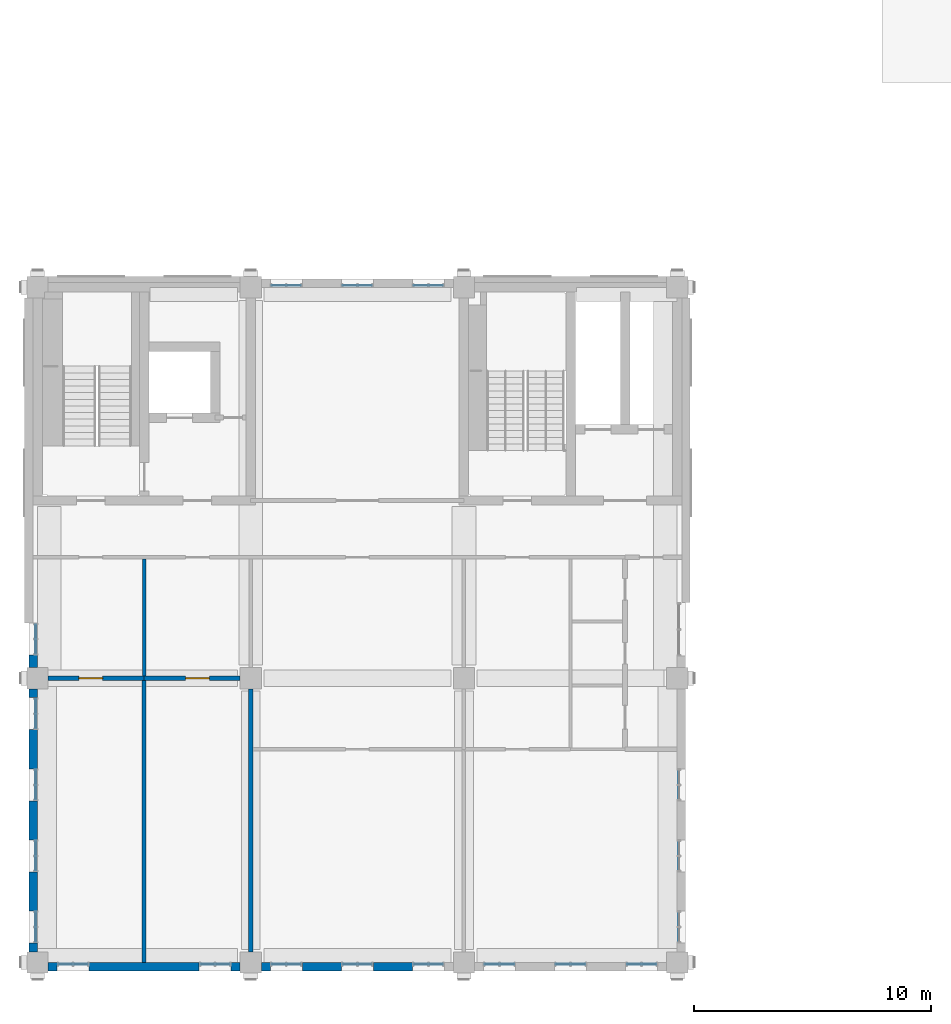
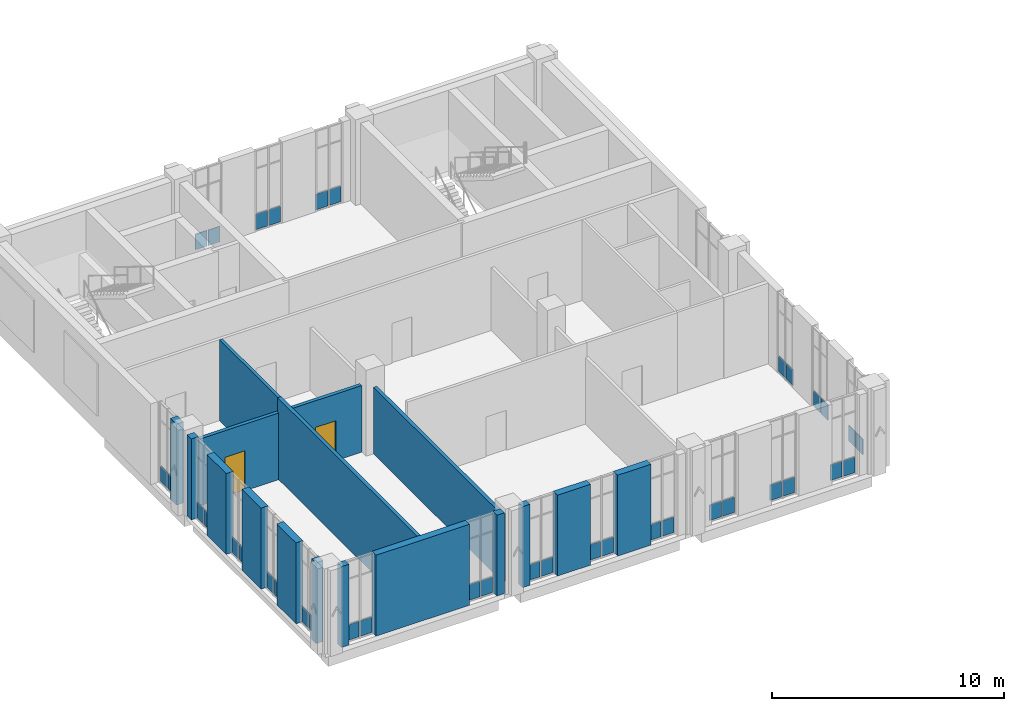
# One storey, part 16 of 25: 38 plates, 17 walls, 2 doors, 2 openings, 19 elements without a shape of their own.
"""IFC4 building model written with IfcOpenShell, lengths in metres."""

from ifc_helpers import new_model, si_unit, direction, frame, frame_2d, origin, origin_2d, place, context, subcontext, project, spatial, rectangle, extrude, material, layer, layer_set, type_object, element, fill, aggregate, save


model = new_model("IFC4")

# Units and contexts
model_context = context("Model", 3, precision=1e-05, world=origin(), true_north=direction((0.0, 1.0)))
body_context = subcontext(model_context, "Body", "Model", "MODEL_VIEW")
ifc_project = project(units=[si_unit("LENGTHUNIT", "METRE"), si_unit("AREAUNIT", "SQUARE_METRE"), si_unit("VOLUMEUNIT", "CUBIC_METRE"), si_unit("PLANEANGLEUNIT", "RADIAN"), si_unit("MASSUNIT", "GRAM", prefix="KILO")], contexts=[model_context])

# Site, building, storey
site_placement = place(None, origin())
site = spatial("IfcSite", under=ifc_project, at=site_placement, CompositionType="ELEMENT")
building_placement = place(site_placement, origin())
building = spatial("IfcBuilding", under=site, at=building_placement, Name="Aurelan Courthouse", CompositionType="ELEMENT")
storey_placement = place(building_placement, frame((0.0, 0.0, 44.39990234375)))
storey = spatial("IfcBuildingStorey", under=building, at=storey_placement, Name="L08", CompositionType="ELEMENT", Elevation=44.39990234375)

# Curtain wall, plates
ifc_material_1 = material(Name="Bronze-finished aluminium and glass", Category="aluminium")
ifc_layer_1 = layer(ifc_material_1, 0.14990234375)
ifc_layer_set_1 = layer_set([ifc_layer_1], Name="Bronze-finished aluminium and glass")
curtain_wall_type = type_object("IfcCurtainWallType", Name="Curtain wall 1350 x 4250", PredefinedType="NOTDEFINED", material=ifc_layer_set_1)
curtain_wall_1_placement = place(storey_placement, origin())
curtain_wall_1 = element("IfcCurtainWall", 1, at=curtain_wall_1_placement, inside=storey, type_object=curtain_wall_type, Name="Curtain wall CW-V5-L08-S01", PredefinedType="NOTDEFINED")
ifc_material_2 = material(Name="Bronze-finished aluminium", Category="aluminium")
ifc_layer_2 = layer(ifc_material_2, 0.0400390625)
ifc_layer_set_2 = layer_set([ifc_layer_2], Name="Bronze-finished aluminium")
plate_type = type_object("IfcPlateType", Name="Sill panel 40", PredefinedType="CURTAIN_PANEL", material=ifc_layer_set_2)
plate_1_placement = place(storey_placement, frame((1.177490234375, -0.074951171875, 0.06005859375), z_axis=(0.0, 0.0, 1.0), x_axis=(1.0, 0.0, 0.0)))
plate_1 = element("IfcPlate", 2, at=plate_1_placement, type_object=plate_type, Name="CW-V5-L08-S01 sill panel 1.1", PredefinedType="CURTAIN_PANEL", context=body_context, shape_type="SweptSolid", body=[
    extrude(rectangle(XDim=0.5849609375, YDim=0.0400390625, at=origin_2d()), origin(), (0.0, 0.0, 1.0), 0.81005859375),
])
plate_2_placement = place(storey_placement, frame((1.822509765625, -0.074951171875, 0.06005859375), z_axis=(0.0, 0.0, 1.0), x_axis=(1.0, 0.0, 0.0)))
plate_2 = element("IfcPlate", 3, at=plate_2_placement, type_object=plate_type, Name="CW-V5-L08-S01 sill panel 2.1", PredefinedType="CURTAIN_PANEL", context=body_context, shape_type="SweptSolid", body=[
    extrude(rectangle(XDim=0.5849609375, YDim=0.0400390625, at=origin_2d()), origin(), (0.0, 0.0, 1.0), 0.81005859375),
])
aggregate(curtain_wall_1, [plate_1, plate_2])

curtain_wall_2_placement = place(storey_placement, origin())
curtain_wall_2 = element("IfcCurtainWall", 4, at=curtain_wall_2_placement, inside=storey, type_object=curtain_wall_type, Name="Curtain wall CW-V5-L08-S02", PredefinedType="NOTDEFINED")
plate_3_placement = place(storey_placement, frame((7.177490234375, -0.074951171875, 0.06005859375), z_axis=(0.0, 0.0, 1.0), x_axis=(1.0, 0.0, 0.0)))
plate_3 = element("IfcPlate", 5, at=plate_3_placement, type_object=plate_type, Name="CW-V5-L08-S02 sill panel 1.1", PredefinedType="CURTAIN_PANEL", context=body_context, shape_type="SweptSolid", body=[
    extrude(rectangle(XDim=0.5849609375, YDim=0.0400390625, at=origin_2d()), origin(), (0.0, 0.0, 1.0), 0.81005859375),
])
plate_4_placement = place(storey_placement, frame((7.822509765625, -0.074951171875, 0.06005859375), z_axis=(0.0, 0.0, 1.0), x_axis=(1.0, 0.0, 0.0)))
plate_4 = element("IfcPlate", 6, at=plate_4_placement, type_object=plate_type, Name="CW-V5-L08-S02 sill panel 2.1", PredefinedType="CURTAIN_PANEL", context=body_context, shape_type="SweptSolid", body=[
    extrude(rectangle(XDim=0.5849609375, YDim=0.0400390625, at=origin_2d()), origin(), (0.0, 0.0, 1.0), 0.81005859375),
])
aggregate(curtain_wall_2, [plate_3, plate_4])

curtain_wall_3_placement = place(storey_placement, origin())
curtain_wall_3 = element("IfcCurtainWall", 7, at=curtain_wall_3_placement, inside=storey, type_object=curtain_wall_type, Name="Curtain wall CW-V5-L08-S03", PredefinedType="NOTDEFINED")
plate_5_placement = place(storey_placement, frame((10.177490234375, -0.074951171875, 0.06005859375), z_axis=(0.0, 0.0, 1.0), x_axis=(1.0, 0.0, 0.0)))
plate_5 = element("IfcPlate", 8, at=plate_5_placement, type_object=plate_type, Name="CW-V5-L08-S03 sill panel 1.1", PredefinedType="CURTAIN_PANEL", context=body_context, shape_type="SweptSolid", body=[
    extrude(rectangle(XDim=0.5849609375, YDim=0.0400390625, at=origin_2d()), origin(), (0.0, 0.0, 1.0), 0.81005859375),
])
plate_6_placement = place(storey_placement, frame((10.822509765625, -0.074951171875, 0.06005859375), z_axis=(0.0, 0.0, 1.0), x_axis=(1.0, 0.0, 0.0)))
plate_6 = element("IfcPlate", 9, at=plate_6_placement, type_object=plate_type, Name="CW-V5-L08-S03 sill panel 2.1", PredefinedType="CURTAIN_PANEL", context=body_context, shape_type="SweptSolid", body=[
    extrude(rectangle(XDim=0.5849609375, YDim=0.0400390625, at=origin_2d()), origin(), (0.0, 0.0, 1.0), 0.81005859375),
])
aggregate(curtain_wall_3, [plate_5, plate_6])

curtain_wall_4_placement = place(storey_placement, origin())
curtain_wall_4 = element("IfcCurtainWall", 10, at=curtain_wall_4_placement, inside=storey, type_object=curtain_wall_type, Name="Curtain wall CW-V5-L08-S04", PredefinedType="NOTDEFINED")
plate_7_placement = place(storey_placement, frame((13.177490234375, -0.074951171875, 0.06005859375), z_axis=(0.0, 0.0, 1.0), x_axis=(1.0, 0.0, 0.0)))
plate_7 = element("IfcPlate", 11, at=plate_7_placement, type_object=plate_type, Name="CW-V5-L08-S04 sill panel 1.1", PredefinedType="CURTAIN_PANEL", context=body_context, shape_type="SweptSolid", body=[
    extrude(rectangle(XDim=0.5849609375, YDim=0.0400390625, at=origin_2d()), origin(), (0.0, 0.0, 1.0), 0.81005859375),
])
plate_8_placement = place(storey_placement, frame((13.822509765625, -0.074951171875, 0.06005859375), z_axis=(0.0, 0.0, 1.0), x_axis=(1.0, 0.0, 0.0)))
plate_8 = element("IfcPlate", 12, at=plate_8_placement, type_object=plate_type, Name="CW-V5-L08-S04 sill panel 2.1", PredefinedType="CURTAIN_PANEL", context=body_context, shape_type="SweptSolid", body=[
    extrude(rectangle(XDim=0.5849609375, YDim=0.0400390625, at=origin_2d()), origin(), (0.0, 0.0, 1.0), 0.81005859375),
])
aggregate(curtain_wall_4, [plate_7, plate_8])

curtain_wall_5_placement = place(storey_placement, origin())
curtain_wall_5 = element("IfcCurtainWall", 13, at=curtain_wall_5_placement, inside=storey, type_object=curtain_wall_type, Name="Curtain wall CW-V5-L08-S05", PredefinedType="NOTDEFINED")
plate_9_placement = place(storey_placement, frame((16.177490234375, -0.074951171875, 0.06005859375), z_axis=(0.0, 0.0, 1.0), x_axis=(1.0, 0.0, 0.0)))
plate_9 = element("IfcPlate", 14, at=plate_9_placement, type_object=plate_type, Name="CW-V5-L08-S05 sill panel 1.1", PredefinedType="CURTAIN_PANEL", context=body_context, shape_type="SweptSolid", body=[
    extrude(rectangle(XDim=0.5849609375, YDim=0.0400390625, at=origin_2d()), origin(), (0.0, 0.0, 1.0), 0.81005859375),
])
plate_10_placement = place(storey_placement, frame((16.822509765625, -0.074951171875, 0.06005859375), z_axis=(0.0, 0.0, 1.0), x_axis=(1.0, 0.0, 0.0)))
plate_10 = element("IfcPlate", 15, at=plate_10_placement, type_object=plate_type, Name="CW-V5-L08-S05 sill panel 2.1", PredefinedType="CURTAIN_PANEL", context=body_context, shape_type="SweptSolid", body=[
    extrude(rectangle(XDim=0.5849609375, YDim=0.0400390625, at=origin_2d()), origin(), (0.0, 0.0, 1.0), 0.81005859375),
])
aggregate(curtain_wall_5, [plate_9, plate_10])

curtain_wall_6_placement = place(storey_placement, origin())
curtain_wall_6 = element("IfcCurtainWall", 16, at=curtain_wall_6_placement, inside=storey, type_object=curtain_wall_type, Name="Curtain wall CW-V5-L08-S06", PredefinedType="NOTDEFINED")
plate_11_placement = place(storey_placement, frame((19.177490234375, -0.074951171875, 0.06005859375), z_axis=(0.0, 0.0, 1.0), x_axis=(1.0, 0.0, 0.0)))
plate_11 = element("IfcPlate", 17, at=plate_11_placement, type_object=plate_type, Name="CW-V5-L08-S06 sill panel 1.1", PredefinedType="CURTAIN_PANEL", context=body_context, shape_type="SweptSolid", body=[
    extrude(rectangle(XDim=0.5849609375, YDim=0.0400390625, at=origin_2d()), origin(), (0.0, 0.0, 1.0), 0.81005859375),
])
plate_12_placement = place(storey_placement, frame((19.822509765625, -0.074951171875, 0.06005859375), z_axis=(0.0, 0.0, 1.0), x_axis=(1.0, 0.0, 0.0)))
plate_12 = element("IfcPlate", 18, at=plate_12_placement, type_object=plate_type, Name="CW-V5-L08-S06 sill panel 2.1", PredefinedType="CURTAIN_PANEL", context=body_context, shape_type="SweptSolid", body=[
    extrude(rectangle(XDim=0.5849609375, YDim=0.0400390625, at=origin_2d()), origin(), (0.0, 0.0, 1.0), 0.81005859375),
])
aggregate(curtain_wall_6, [plate_11, plate_12])

curtain_wall_7_placement = place(storey_placement, origin())
curtain_wall_7 = element("IfcCurtainWall", 19, at=curtain_wall_7_placement, inside=storey, type_object=curtain_wall_type, Name="Curtain wall CW-V5-L08-S07", PredefinedType="NOTDEFINED")
plate_13_placement = place(storey_placement, frame((22.177490234375, -0.074951171875, 0.06005859375), z_axis=(0.0, 0.0, 1.0), x_axis=(1.0, 0.0, 0.0)))
plate_13 = element("IfcPlate", 20, at=plate_13_placement, type_object=plate_type, Name="CW-V5-L08-S07 sill panel 1.1", PredefinedType="CURTAIN_PANEL", context=body_context, shape_type="SweptSolid", body=[
    extrude(rectangle(XDim=0.5849609375, YDim=0.0400390625, at=origin_2d()), origin(), (0.0, 0.0, 1.0), 0.81005859375),
])
plate_14_placement = place(storey_placement, frame((22.822509765625, -0.074951171875, 0.06005859375), z_axis=(0.0, 0.0, 1.0), x_axis=(1.0, 0.0, 0.0)))
plate_14 = element("IfcPlate", 21, at=plate_14_placement, type_object=plate_type, Name="CW-V5-L08-S07 sill panel 2.1", PredefinedType="CURTAIN_PANEL", context=body_context, shape_type="SweptSolid", body=[
    extrude(rectangle(XDim=0.5849609375, YDim=0.0400390625, at=origin_2d()), origin(), (0.0, 0.0, 1.0), 0.81005859375),
])
aggregate(curtain_wall_7, [plate_13, plate_14])

curtain_wall_8_placement = place(storey_placement, origin())
curtain_wall_8 = element("IfcCurtainWall", 22, at=curtain_wall_8_placement, inside=storey, type_object=curtain_wall_type, Name="Curtain wall CW-V5-L08-S08", PredefinedType="NOTDEFINED")
plate_15_placement = place(storey_placement, frame((25.177490234375, -0.074951171875, 0.06005859375), z_axis=(0.0, 0.0, 1.0), x_axis=(1.0, 0.0, 0.0)))
plate_15 = element("IfcPlate", 23, at=plate_15_placement, type_object=plate_type, Name="CW-V5-L08-S08 sill panel 1.1", PredefinedType="CURTAIN_PANEL", context=body_context, shape_type="SweptSolid", body=[
    extrude(rectangle(XDim=0.5849609375, YDim=0.0400390625, at=origin_2d()), origin(), (0.0, 0.0, 1.0), 0.81005859375),
])
plate_16_placement = place(storey_placement, frame((25.822509765625, -0.074951171875, 0.06005859375), z_axis=(0.0, 0.0, 1.0), x_axis=(1.0, 0.0, 0.0)))
plate_16 = element("IfcPlate", 24, at=plate_16_placement, type_object=plate_type, Name="CW-V5-L08-S08 sill panel 2.1", PredefinedType="CURTAIN_PANEL", context=body_context, shape_type="SweptSolid", body=[
    extrude(rectangle(XDim=0.5849609375, YDim=0.0400390625, at=origin_2d()), origin(), (0.0, 0.0, 1.0), 0.81005859375),
])
aggregate(curtain_wall_8, [plate_15, plate_16])

curtain_wall_9_placement = place(storey_placement, origin())
curtain_wall_9 = element("IfcCurtainWall", 25, at=curtain_wall_9_placement, inside=storey, type_object=curtain_wall_type, Name="Curtain wall CW-V5-L08-N01", PredefinedType="NOTDEFINED")
plate_17_placement = place(storey_placement, frame((10.177490234375, 28.574951171875, 0.06005859375), z_axis=(0.0, 0.0, 1.0), x_axis=(1.0, 0.0, 0.0)))
plate_17 = element("IfcPlate", 26, at=plate_17_placement, type_object=plate_type, Name="CW-V5-L08-N01 sill panel 1.1", PredefinedType="CURTAIN_PANEL", context=body_context, shape_type="SweptSolid", body=[
    extrude(rectangle(XDim=0.5849609375, YDim=0.0400390625, at=origin_2d()), origin(), (0.0, 0.0, 1.0), 0.81005859375),
])
plate_18_placement = place(storey_placement, frame((10.822509765625, 28.574951171875, 0.06005859375), z_axis=(0.0, 0.0, 1.0), x_axis=(1.0, 0.0, 0.0)))
plate_18 = element("IfcPlate", 27, at=plate_18_placement, type_object=plate_type, Name="CW-V5-L08-N01 sill panel 2.1", PredefinedType="CURTAIN_PANEL", context=body_context, shape_type="SweptSolid", body=[
    extrude(rectangle(XDim=0.5849609375, YDim=0.0400390625, at=origin_2d()), origin(), (0.0, 0.0, 1.0), 0.81005859375),
])
aggregate(curtain_wall_9, [plate_17, plate_18])

curtain_wall_10_placement = place(storey_placement, origin())
curtain_wall_10 = element("IfcCurtainWall", 28, at=curtain_wall_10_placement, inside=storey, type_object=curtain_wall_type, Name="Curtain wall CW-V5-L08-N02", PredefinedType="NOTDEFINED")
plate_19_placement = place(storey_placement, frame((13.177490234375, 28.574951171875, 0.06005859375), z_axis=(0.0, 0.0, 1.0), x_axis=(1.0, 0.0, 0.0)))
plate_19 = element("IfcPlate", 29, at=plate_19_placement, type_object=plate_type, Name="CW-V5-L08-N02 sill panel 1.1", PredefinedType="CURTAIN_PANEL", context=body_context, shape_type="SweptSolid", body=[
    extrude(rectangle(XDim=0.5849609375, YDim=0.0400390625, at=origin_2d()), origin(), (0.0, 0.0, 1.0), 0.81005859375),
])
plate_20_placement = place(storey_placement, frame((13.822509765625, 28.574951171875, 0.06005859375), z_axis=(0.0, 0.0, 1.0), x_axis=(1.0, 0.0, 0.0)))
plate_20 = element("IfcPlate", 30, at=plate_20_placement, type_object=plate_type, Name="CW-V5-L08-N02 sill panel 2.1", PredefinedType="CURTAIN_PANEL", context=body_context, shape_type="SweptSolid", body=[
    extrude(rectangle(XDim=0.5849609375, YDim=0.0400390625, at=origin_2d()), origin(), (0.0, 0.0, 1.0), 0.81005859375),
])
aggregate(curtain_wall_10, [plate_19, plate_20])

curtain_wall_11_placement = place(storey_placement, origin())
curtain_wall_11 = element("IfcCurtainWall", 31, at=curtain_wall_11_placement, inside=storey, type_object=curtain_wall_type, Name="Curtain wall CW-V5-L08-N03", PredefinedType="NOTDEFINED")
plate_21_placement = place(storey_placement, frame((16.177490234375, 28.574951171875, 0.06005859375), z_axis=(0.0, 0.0, 1.0), x_axis=(1.0, 0.0, 0.0)))
plate_21 = element("IfcPlate", 32, at=plate_21_placement, type_object=plate_type, Name="CW-V5-L08-N03 sill panel 1.1", PredefinedType="CURTAIN_PANEL", context=body_context, shape_type="SweptSolid", body=[
    extrude(rectangle(XDim=0.5849609375, YDim=0.0400390625, at=origin_2d()), origin(), (0.0, 0.0, 1.0), 0.81005859375),
])
plate_22_placement = place(storey_placement, frame((16.822509765625, 28.574951171875, 0.06005859375), z_axis=(0.0, 0.0, 1.0), x_axis=(1.0, 0.0, 0.0)))
plate_22 = element("IfcPlate", 33, at=plate_22_placement, type_object=plate_type, Name="CW-V5-L08-N03 sill panel 2.1", PredefinedType="CURTAIN_PANEL", context=body_context, shape_type="SweptSolid", body=[
    extrude(rectangle(XDim=0.5849609375, YDim=0.0400390625, at=origin_2d()), origin(), (0.0, 0.0, 1.0), 0.81005859375),
])
aggregate(curtain_wall_11, [plate_21, plate_22])

curtain_wall_12_placement = place(storey_placement, origin())
curtain_wall_12 = element("IfcCurtainWall", 34, at=curtain_wall_12_placement, inside=storey, type_object=curtain_wall_type, Name="Curtain wall CW-V5-L08-E01", PredefinedType="NOTDEFINED")
plate_23_placement = place(storey_placement, frame((27.074951171875, 1.177490234375, 0.06005859375), z_axis=(0.0, 0.0, 1.0), x_axis=(0.0, 1.0, 0.0)))
plate_23 = element("IfcPlate", 35, at=plate_23_placement, type_object=plate_type, Name="CW-V5-L08-E01 sill panel 1.1", PredefinedType="CURTAIN_PANEL", context=body_context, shape_type="SweptSolid", body=[
    extrude(rectangle(XDim=0.5849609375, YDim=0.0400390625, at=origin_2d()), origin(), (0.0, 0.0, 1.0), 0.81005859375),
])
plate_24_placement = place(storey_placement, frame((27.074951171875, 1.822509765625, 0.06005859375), z_axis=(0.0, 0.0, 1.0), x_axis=(0.0, 1.0, 0.0)))
plate_24 = element("IfcPlate", 36, at=plate_24_placement, type_object=plate_type, Name="CW-V5-L08-E01 sill panel 2.1", PredefinedType="CURTAIN_PANEL", context=body_context, shape_type="SweptSolid", body=[
    extrude(rectangle(XDim=0.5849609375, YDim=0.0400390625, at=origin_2d()), origin(), (0.0, 0.0, 1.0), 0.81005859375),
])
aggregate(curtain_wall_12, [plate_23, plate_24])

curtain_wall_13_placement = place(storey_placement, origin())
curtain_wall_13 = element("IfcCurtainWall", 37, at=curtain_wall_13_placement, inside=storey, type_object=curtain_wall_type, Name="Curtain wall CW-V5-L08-E02", PredefinedType="NOTDEFINED")
plate_25_placement = place(storey_placement, frame((27.074951171875, 4.177490234375, 0.06005859375), z_axis=(0.0, 0.0, 1.0), x_axis=(0.0, 1.0, 0.0)))
plate_25 = element("IfcPlate", 38, at=plate_25_placement, type_object=plate_type, Name="CW-V5-L08-E02 sill panel 1.1", PredefinedType="CURTAIN_PANEL", context=body_context, shape_type="SweptSolid", body=[
    extrude(rectangle(XDim=0.5849609375, YDim=0.0400390625, at=origin_2d()), origin(), (0.0, 0.0, 1.0), 0.81005859375),
])
plate_26_placement = place(storey_placement, frame((27.074951171875, 4.822509765625, 0.06005859375), z_axis=(0.0, 0.0, 1.0), x_axis=(0.0, 1.0, 0.0)))
plate_26 = element("IfcPlate", 39, at=plate_26_placement, type_object=plate_type, Name="CW-V5-L08-E02 sill panel 2.1", PredefinedType="CURTAIN_PANEL", context=body_context, shape_type="SweptSolid", body=[
    extrude(rectangle(XDim=0.5849609375, YDim=0.0400390625, at=origin_2d()), origin(), (0.0, 0.0, 1.0), 0.81005859375),
])
aggregate(curtain_wall_13, [plate_25, plate_26])

curtain_wall_14_placement = place(storey_placement, origin())
curtain_wall_14 = element("IfcCurtainWall", 40, at=curtain_wall_14_placement, inside=storey, type_object=curtain_wall_type, Name="Curtain wall CW-V5-L08-E03", PredefinedType="NOTDEFINED")
plate_27_placement = place(storey_placement, frame((27.074951171875, 7.177490234375, 0.06005859375), z_axis=(0.0, 0.0, 1.0), x_axis=(0.0, 1.0, 0.0)))
plate_27 = element("IfcPlate", 41, at=plate_27_placement, type_object=plate_type, Name="CW-V5-L08-E03 sill panel 1.1", PredefinedType="CURTAIN_PANEL", context=body_context, shape_type="SweptSolid", body=[
    extrude(rectangle(XDim=0.5849609375, YDim=0.0400390625, at=origin_2d()), origin(), (0.0, 0.0, 1.0), 0.81005859375),
])
plate_28_placement = place(storey_placement, frame((27.074951171875, 7.822509765625, 0.06005859375), z_axis=(0.0, 0.0, 1.0), x_axis=(0.0, 1.0, 0.0)))
plate_28 = element("IfcPlate", 42, at=plate_28_placement, type_object=plate_type, Name="CW-V5-L08-E03 sill panel 2.1", PredefinedType="CURTAIN_PANEL", context=body_context, shape_type="SweptSolid", body=[
    extrude(rectangle(XDim=0.5849609375, YDim=0.0400390625, at=origin_2d()), origin(), (0.0, 0.0, 1.0), 0.81005859375),
])
aggregate(curtain_wall_14, [plate_27, plate_28])

curtain_wall_15_placement = place(storey_placement, origin())
curtain_wall_15 = element("IfcCurtainWall", 43, at=curtain_wall_15_placement, inside=storey, type_object=curtain_wall_type, Name="Curtain wall CW-V5-L08-W01", PredefinedType="NOTDEFINED")
plate_29_placement = place(storey_placement, frame((-0.074951171875, 1.177490234375, 0.06005859375), z_axis=(0.0, 0.0, 1.0), x_axis=(0.0, 1.0, 0.0)))
plate_29 = element("IfcPlate", 44, at=plate_29_placement, type_object=plate_type, Name="CW-V5-L08-W01 sill panel 1.1", PredefinedType="CURTAIN_PANEL", context=body_context, shape_type="SweptSolid", body=[
    extrude(rectangle(XDim=0.5849609375, YDim=0.0400390625, at=origin_2d()), origin(), (0.0, 0.0, 1.0), 0.81005859375),
])
plate_30_placement = place(storey_placement, frame((-0.074951171875, 1.822509765625, 0.06005859375), z_axis=(0.0, 0.0, 1.0), x_axis=(0.0, 1.0, 0.0)))
plate_30 = element("IfcPlate", 45, at=plate_30_placement, type_object=plate_type, Name="CW-V5-L08-W01 sill panel 2.1", PredefinedType="CURTAIN_PANEL", context=body_context, shape_type="SweptSolid", body=[
    extrude(rectangle(XDim=0.5849609375, YDim=0.0400390625, at=origin_2d()), origin(), (0.0, 0.0, 1.0), 0.81005859375),
])
aggregate(curtain_wall_15, [plate_29, plate_30])

curtain_wall_16_placement = place(storey_placement, origin())
curtain_wall_16 = element("IfcCurtainWall", 46, at=curtain_wall_16_placement, inside=storey, type_object=curtain_wall_type, Name="Curtain wall CW-V5-L08-W02", PredefinedType="NOTDEFINED")
plate_31_placement = place(storey_placement, frame((-0.074951171875, 4.177490234375, 0.06005859375), z_axis=(0.0, 0.0, 1.0), x_axis=(0.0, 1.0, 0.0)))
plate_31 = element("IfcPlate", 47, at=plate_31_placement, type_object=plate_type, Name="CW-V5-L08-W02 sill panel 1.1", PredefinedType="CURTAIN_PANEL", context=body_context, shape_type="SweptSolid", body=[
    extrude(rectangle(XDim=0.5849609375, YDim=0.0400390625, at=origin_2d()), origin(), (0.0, 0.0, 1.0), 0.81005859375),
])
plate_32_placement = place(storey_placement, frame((-0.074951171875, 4.822509765625, 0.06005859375), z_axis=(0.0, 0.0, 1.0), x_axis=(0.0, 1.0, 0.0)))
plate_32 = element("IfcPlate", 48, at=plate_32_placement, type_object=plate_type, Name="CW-V5-L08-W02 sill panel 2.1", PredefinedType="CURTAIN_PANEL", context=body_context, shape_type="SweptSolid", body=[
    extrude(rectangle(XDim=0.5849609375, YDim=0.0400390625, at=origin_2d()), origin(), (0.0, 0.0, 1.0), 0.81005859375),
])
aggregate(curtain_wall_16, [plate_31, plate_32])

curtain_wall_17_placement = place(storey_placement, origin())
curtain_wall_17 = element("IfcCurtainWall", 49, at=curtain_wall_17_placement, inside=storey, type_object=curtain_wall_type, Name="Curtain wall CW-V5-L08-W03", PredefinedType="NOTDEFINED")
plate_33_placement = place(storey_placement, frame((-0.074951171875, 7.177490234375, 0.06005859375), z_axis=(0.0, 0.0, 1.0), x_axis=(0.0, 1.0, 0.0)))
plate_33 = element("IfcPlate", 50, at=plate_33_placement, type_object=plate_type, Name="CW-V5-L08-W03 sill panel 1.1", PredefinedType="CURTAIN_PANEL", context=body_context, shape_type="SweptSolid", body=[
    extrude(rectangle(XDim=0.5849609375, YDim=0.0400390625, at=origin_2d()), origin(), (0.0, 0.0, 1.0), 0.81005859375),
])
plate_34_placement = place(storey_placement, frame((-0.074951171875, 7.822509765625, 0.06005859375), z_axis=(0.0, 0.0, 1.0), x_axis=(0.0, 1.0, 0.0)))
plate_34 = element("IfcPlate", 51, at=plate_34_placement, type_object=plate_type, Name="CW-V5-L08-W03 sill panel 2.1", PredefinedType="CURTAIN_PANEL", context=body_context, shape_type="SweptSolid", body=[
    extrude(rectangle(XDim=0.5849609375, YDim=0.0400390625, at=origin_2d()), origin(), (0.0, 0.0, 1.0), 0.81005859375),
])
aggregate(curtain_wall_17, [plate_33, plate_34])

curtain_wall_18_placement = place(storey_placement, origin())
curtain_wall_18 = element("IfcCurtainWall", 52, at=curtain_wall_18_placement, inside=storey, type_object=curtain_wall_type, Name="Curtain wall CW-V5-L08-W04", PredefinedType="NOTDEFINED")
plate_35_placement = place(storey_placement, frame((-0.074951171875, 10.177490234375, 0.06005859375), z_axis=(0.0, 0.0, 1.0), x_axis=(0.0, 1.0, 0.0)))
plate_35 = element("IfcPlate", 53, at=plate_35_placement, type_object=plate_type, Name="CW-V5-L08-W04 sill panel 1.1", PredefinedType="CURTAIN_PANEL", context=body_context, shape_type="SweptSolid", body=[
    extrude(rectangle(XDim=0.5849609375, YDim=0.0400390625, at=origin_2d()), origin(), (0.0, 0.0, 1.0), 0.81005859375),
])
plate_36_placement = place(storey_placement, frame((-0.074951171875, 10.822509765625, 0.06005859375), z_axis=(0.0, 0.0, 1.0), x_axis=(0.0, 1.0, 0.0)))
plate_36 = element("IfcPlate", 54, at=plate_36_placement, type_object=plate_type, Name="CW-V5-L08-W04 sill panel 2.1", PredefinedType="CURTAIN_PANEL", context=body_context, shape_type="SweptSolid", body=[
    extrude(rectangle(XDim=0.5849609375, YDim=0.0400390625, at=origin_2d()), origin(), (0.0, 0.0, 1.0), 0.81005859375),
])
aggregate(curtain_wall_18, [plate_35, plate_36])

curtain_wall_19_placement = place(storey_placement, origin())
curtain_wall_19 = element("IfcCurtainWall", 55, at=curtain_wall_19_placement, inside=storey, type_object=curtain_wall_type, Name="Curtain wall CW-V5-L08-W05", PredefinedType="NOTDEFINED")
plate_37_placement = place(storey_placement, frame((-0.074951171875, 13.327392578125, 0.06005859375), z_axis=(0.0, 0.0, 1.0), x_axis=(0.0, 1.0, 0.0)))
plate_37 = element("IfcPlate", 56, at=plate_37_placement, type_object=plate_type, Name="CW-V5-L08-W05 sill panel 1.1", PredefinedType="CURTAIN_PANEL", context=body_context, shape_type="SweptSolid", body=[
    extrude(rectangle(XDim=0.5849609375, YDim=0.0400390625, at=origin_2d()), origin(), (0.0, 0.0, 1.0), 0.81005859375),
])
plate_38_placement = place(storey_placement, frame((-0.074951171875, 13.972412109375, 0.06005859375), z_axis=(0.0, 0.0, 1.0), x_axis=(0.0, 1.0, 0.0)))
plate_38 = element("IfcPlate", 57, at=plate_38_placement, type_object=plate_type, Name="CW-V5-L08-W05 sill panel 2.1", PredefinedType="CURTAIN_PANEL", context=body_context, shape_type="SweptSolid", body=[
    extrude(rectangle(XDim=0.5849609375, YDim=0.0400390625, at=origin_2d()), origin(), (0.0, 0.0, 1.0), 0.81005859375),
])
aggregate(curtain_wall_19, [plate_37, plate_38])

# Wall, opening, door
ifc_material_3 = material(Name="Gypsum board on metal studs")
ifc_layer_3 = layer(ifc_material_3, 0.175048828125)
ifc_layer_set_3 = layer_set([ifc_layer_3], Name="Gypsum board on metal studs")
wall_type_1 = type_object("IfcWallType", Name="Chambers acoustic partition 175 NOT RATED", PredefinedType="PARTITIONING", material=ifc_layer_set_3)
wall_1_placement = place(storey_placement, frame((0.449951171875, 12.0, 0.0), z_axis=(0.0, 0.0, 1.0), x_axis=(1.0, 0.0, 0.0)))
wall_1 = element("IfcWall", 58, at=wall_1_placement, inside=storey, type_object=wall_type_1, Name="Chambers acoustic partition L08-006", PredefinedType="PARTITIONING", context=body_context, shape_type="SweptSolid", body=[
    extrude(rectangle(XDim=4.050048828125, YDim=0.175048828125, at=frame_2d((2.02490234375, 0.0))), origin(), (0.0, 0.0, 1.0), 3.5),
])
opening_1_placement = place(wall_1_placement, frame((2.300048828125, 0.0, 0.0), z_axis=(0.0, 0.0, 1.0), x_axis=(-1.0, 0.0, 0.0)))
opening_1 = element("IfcOpeningElement", 59, at=opening_1_placement, cuts=wall_1, Name="Opening D-L08-011", PredefinedType="OPENING", context=body_context, shape_type="SweptSolid", body=[
    extrude(rectangle(XDim=1.0, YDim=2.10009765625, at=frame_2d((0.5, 1.050048828125))), frame((0.0, 0.097412109375, 0.0), z_axis=(0.0, -1.0, 0.0), x_axis=(1.0, 0.0, 0.0)), (0.0, 0.0, 1.0), 0.195068359375),
])
ifc_material_4 = material(Name="Timber", Category="wood")
door_type = type_object("IfcDoorType", Name="Single door 1000 x 2100 NOT RATED", OperationType="SINGLE_SWING_LEFT", PredefinedType="DOOR", material=ifc_material_4)
door_1_placement = place(opening_1_placement, origin())
door_1 = element("IfcDoor", 60, at=door_1_placement, inside=storey, type_object=door_type, Name="Single door D-L08-011", OperationType="SINGLE_SWING_LEFT", OverallHeight=2.10009765625, OverallWidth=1.0, PredefinedType="DOOR", context=body_context, shape_type="SweptSolid", body=[
    extrude(rectangle(XDim=1.0, YDim=2.10009765625, at=frame_2d((0.5, 1.050048828125))), frame((0.0, 0.02490234375, 0.0), z_axis=(0.0, -1.0, 0.0), x_axis=(1.0, 0.0, 0.0)), (0.0, 0.0, 1.0), 0.050048828125),
])
fill(opening_1, door_1)

wall_2_placement = place(storey_placement, frame((4.5, 12.0, 0.0), z_axis=(0.0, 0.0, 1.0), x_axis=(1.0, 0.0, 0.0)))
wall_2 = element("IfcWall", 61, at=wall_2_placement, inside=storey, type_object=wall_type_1, Name="Chambers acoustic partition L08-007", PredefinedType="PARTITIONING", context=body_context, shape_type="SweptSolid", body=[
    extrude(rectangle(XDim=4.050048828125, YDim=0.175048828125, at=frame_2d((2.02490234375, 0.0))), origin(), (0.0, 0.0, 1.0), 3.5),
])
opening_2_placement = place(wall_2_placement, frame((2.75, 0.0, 0.0), z_axis=(0.0, 0.0, 1.0), x_axis=(-1.0, 0.0, 0.0)))
opening_2 = element("IfcOpeningElement", 62, at=opening_2_placement, cuts=wall_2, Name="Opening D-L08-013", PredefinedType="OPENING", context=body_context, shape_type="SweptSolid", body=[
    extrude(rectangle(XDim=1.0, YDim=2.10009765625, at=frame_2d((0.5, 1.050048828125))), frame((0.0, 0.097412109375, 0.0), z_axis=(0.0, -1.0, 0.0), x_axis=(1.0, 0.0, 0.0)), (0.0, 0.0, 1.0), 0.195068359375),
])
door_2_placement = place(opening_2_placement, origin())
door_2 = element("IfcDoor", 63, at=door_2_placement, inside=storey, type_object=door_type, Name="Single door D-L08-013", OperationType="SINGLE_SWING_LEFT", OverallHeight=2.10009765625, OverallWidth=1.0, PredefinedType="DOOR", context=body_context, shape_type="SweptSolid", body=[
    extrude(rectangle(XDim=1.0, YDim=2.10009765625, at=frame_2d((0.5, 1.050048828125))), frame((0.0, 0.02490234375, 0.0), z_axis=(0.0, -1.0, 0.0), x_axis=(1.0, 0.0, 0.0)), (0.0, 0.0, 1.0), 0.050048828125),
])
fill(opening_2, door_2)

# Walls
wall_3_placement = place(storey_placement, frame((4.5, 0.0, 0.0), z_axis=(0.0, 0.0, 1.0), x_axis=(0.0, 1.0, 0.0)))
element("IfcWall", 64, at=wall_3_placement, inside=storey, type_object=wall_type_1, Name="Chambers acoustic partition L08-013", PredefinedType="PARTITIONING", context=body_context, shape_type="SweptSolid", body=[
    extrude(rectangle(XDim=12.0, YDim=0.175048828125, at=frame_2d((6.0, 0.0))), origin(), (0.0, 0.0, 1.0), 4.25),
])
wall_4_placement = place(storey_placement, frame((9.0, 0.449951171875, 0.0), z_axis=(0.0, 0.0, 1.0), x_axis=(0.0, 1.0, 0.0)))
element("IfcWall", 65, at=wall_4_placement, inside=storey, type_object=wall_type_1, Name="Chambers acoustic partition L08-015", PredefinedType="PARTITIONING", context=body_context, shape_type="SweptSolid", body=[
    extrude(rectangle(XDim=11.10009765625, YDim=0.175048828125, at=frame_2d((5.550048828125, 0.0))), origin(), (0.0, 0.0, 1.0), 3.5),
])
ifc_material_5 = material(Name="Limestone cladding", Category="masonry")
ifc_layer_4 = layer(ifc_material_5, 0.10009765625, Name="Facing")
ifc_material_6 = material(Name="Ventilated cavity")
ifc_layer_5 = layer(ifc_material_6, 0.02490234375, ventilated=True, Name="Ventilated cavity")
ifc_material_7 = material(Name="Mineral wool insulation")
ifc_layer_6 = layer(ifc_material_7, 0.050048828125, Name="Insulation")
ifc_material_8 = material(Name="Concrete C30", Category="concrete")
ifc_layer_7 = layer(ifc_material_8, 0.175048828125, Name="Structure")
ifc_layer_set_4 = layer_set([ifc_layer_4, ifc_layer_5, ifc_layer_6, ifc_layer_7], Name="Concrete C30")
wall_type_2 = type_object("IfcWallType", Name="Courts' Floors stone-faced wall 350", PredefinedType="SOLIDWALL", material=ifc_layer_set_4)
wall_5_placement = place(storey_placement, frame((0.449951171875, -0.175048828125, 0.0), z_axis=(0.0, 0.0, 1.0), x_axis=(1.0, 0.0, 0.0)))
element("IfcWall", 66, at=wall_5_placement, inside=storey, type_object=wall_type_2, Name="Facade wall FW-V5-L08-001", PredefinedType="SOLIDWALL", context=body_context, shape_type="SweptSolid", body=[
    extrude(rectangle(XDim=0.375, YDim=0.35009765625, at=frame_2d((0.1875, 0.0))), origin(), (0.0, 0.0, 1.0), 4.25),
])
wall_6_placement = place(storey_placement, frame((2.175048828125, -0.175048828125, 0.0), z_axis=(0.0, 0.0, 1.0), x_axis=(1.0, 0.0, 0.0)))
element("IfcWall", 67, at=wall_6_placement, inside=storey, type_object=wall_type_2, Name="Facade wall FW-V5-L08-002", PredefinedType="SOLIDWALL", context=body_context, shape_type="SweptSolid", body=[
    extrude(rectangle(XDim=4.64990234375, YDim=0.35009765625, at=frame_2d((2.324951171875, 0.0))), origin(), (0.0, 0.0, 1.0), 4.25),
])
for number, where, z_axis, x_axis, name in (
    (68, (8.175048828125, -0.175048828125, 0.0), (0.0, 0.0, 1.0), (1.0, 0.0, 0.0), "Facade wall FW-V5-L08-003"),
    (69, (9.449951171875, -0.175048828125, 0.0), (0.0, 0.0, 1.0), (1.0, 0.0, 0.0), "Facade wall FW-V5-L08-004"),
):
    element("IfcWall", number, at=place(storey_placement, frame(where, z_axis=z_axis, x_axis=x_axis)), inside=storey, type_object=wall_type_2, Name=name, PredefinedType="SOLIDWALL", context=body_context, shape_type="SweptSolid", body=[
        extrude(rectangle(XDim=0.375, YDim=0.35009765625, at=frame_2d((0.1875, 0.0))), origin(), (0.0, 0.0, 1.0), 4.25),
    ])
for number, where, z_axis, x_axis, name in (
    (70, (11.175048828125, -0.175048828125, 0.0), (0.0, 0.0, 1.0), (1.0, 0.0, 0.0), "Facade wall FW-V5-L08-005"),
    (71, (14.175048828125, -0.175048828125, 0.0), (0.0, 0.0, 1.0), (1.0, 0.0, 0.0), "Facade wall FW-V5-L08-006"),
):
    element("IfcWall", number, at=place(storey_placement, frame(where, z_axis=z_axis, x_axis=x_axis)), inside=storey, type_object=wall_type_2, Name=name, PredefinedType="SOLIDWALL", context=body_context, shape_type="SweptSolid", body=[
        extrude(rectangle(XDim=1.64990234375, YDim=0.35009765625, at=frame_2d((0.824951171875, 0.0))), origin(), (0.0, 0.0, 1.0), 4.25),
    ])
wall_7_placement = place(storey_placement, frame((-0.175048828125, 0.449951171875, 0.0), z_axis=(0.0, 0.0, 1.0), x_axis=(0.0, 1.0, 0.0)))
element("IfcWall", 72, at=wall_7_placement, inside=storey, type_object=wall_type_2, Name="Facade wall FW-V5-L08-024", PredefinedType="SOLIDWALL", context=body_context, shape_type="SweptSolid", body=[
    extrude(rectangle(XDim=0.375, YDim=0.35009765625, at=frame_2d((0.1875, 0.0))), origin(), (0.0, 0.0, 1.0), 4.25),
])
for number, where, z_axis, x_axis, name in (
    (73, (-0.175048828125, 2.175048828125, 0.0), (0.0, 0.0, 1.0), (0.0, 1.0, 0.0), "Facade wall FW-V5-L08-025"),
    (74, (-0.175048828125, 5.175048828125, 0.0), (0.0, 0.0, 1.0), (0.0, 1.0, 0.0), "Facade wall FW-V5-L08-026"),
    (75, (-0.175048828125, 8.175048828125, 0.0), (0.0, 0.0, 1.0), (0.0, 1.0, 0.0), "Facade wall FW-V5-L08-027"),
):
    element("IfcWall", number, at=place(storey_placement, frame(where, z_axis=z_axis, x_axis=x_axis)), inside=storey, type_object=wall_type_2, Name=name, PredefinedType="SOLIDWALL", context=body_context, shape_type="SweptSolid", body=[
        extrude(rectangle(XDim=1.64990234375, YDim=0.35009765625, at=frame_2d((0.824951171875, 0.0))), origin(), (0.0, 0.0, 1.0), 4.25),
    ])
wall_8_placement = place(storey_placement, frame((-0.175048828125, 11.175048828125, 0.0), z_axis=(0.0, 0.0, 1.0), x_axis=(0.0, 1.0, 0.0)))
element("IfcWall", 76, at=wall_8_placement, inside=storey, type_object=wall_type_2, Name="Facade wall FW-V5-L08-028", PredefinedType="SOLIDWALL", context=body_context, shape_type="SweptSolid", body=[
    extrude(rectangle(XDim=0.375, YDim=0.35009765625, at=frame_2d((0.1875, 0.0))), origin(), (0.0, 0.0, 1.0), 4.25),
])
wall_9_placement = place(storey_placement, frame((-0.175048828125, 12.449951171875, 0.0), z_axis=(0.0, 0.0, 1.0), x_axis=(0.0, 1.0, 0.0)))
element("IfcWall", 77, at=wall_9_placement, inside=storey, type_object=wall_type_2, Name="Facade wall FW-V5-L08-029", PredefinedType="SOLIDWALL", context=body_context, shape_type="SweptSolid", body=[
    extrude(rectangle(XDim=0.525146484375, YDim=0.35009765625, at=frame_2d((0.2626953125, 0.0))), origin(), (0.0, 0.0, 1.0), 4.25),
])
ifc_layer_8 = layer(ifc_material_3, 0.14990234375)
ifc_layer_set_5 = layer_set([ifc_layer_8], Name="Gypsum board on metal studs")
wall_type_3 = type_object("IfcWallType", Name="Partition 150 NOT RATED", PredefinedType="PARTITIONING", material=ifc_layer_set_5)
wall_10_placement = place(storey_placement, frame((4.5, 12.0, 0.0), z_axis=(0.0, 0.0, 1.0), x_axis=(0.0, 1.0, 0.0)))
element("IfcWall", 78, at=wall_10_placement, inside=storey, type_object=wall_type_3, Name="Partition L08-014", PredefinedType="PARTITIONING", context=body_context, shape_type="SweptSolid", body=[
    extrude(rectangle(XDim=5.02490234375, YDim=0.14990234375, at=frame_2d((2.512451171875, 0.0))), origin(), (0.0, 0.0, 1.0), 4.25),
])

save(model, "model.ifc")
